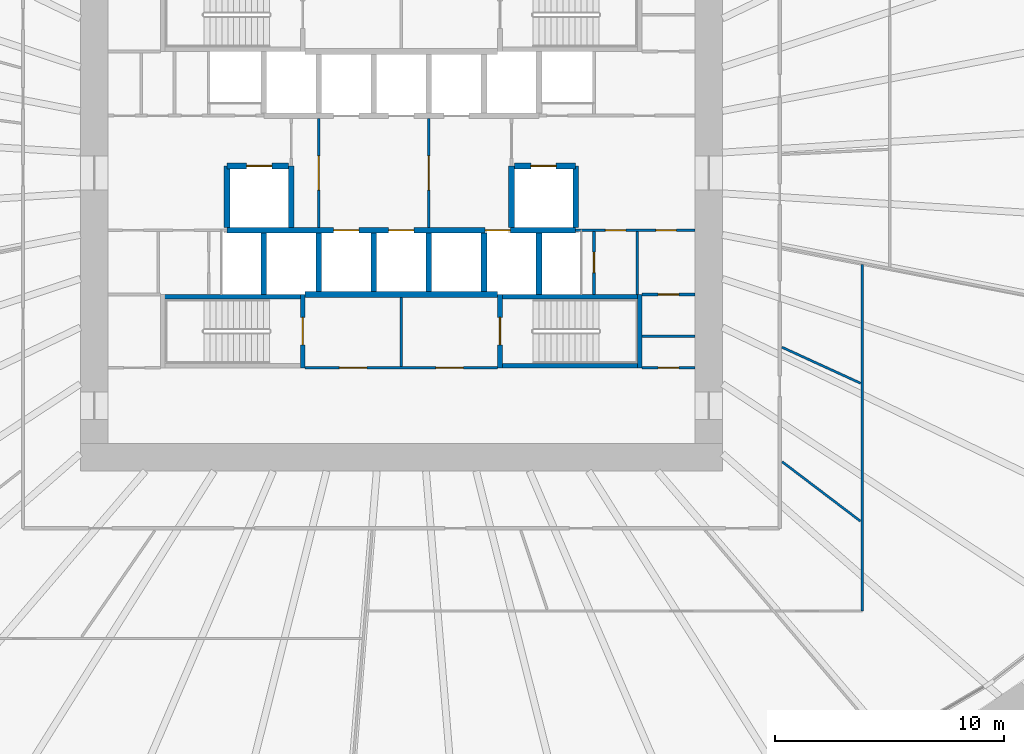
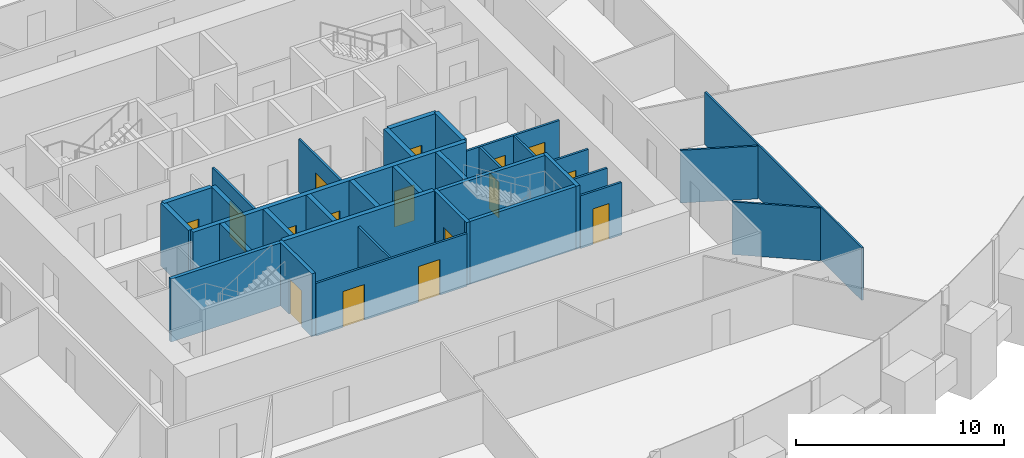
# One storey, part 7 of 11: 33 walls, 16 doors, 16 openings.
"""IFC4 building model written with IfcOpenShell, lengths in metres."""

import ifcopenshell
import ifcopenshell.guid

model = None  # the IFC model being written
_history = None  # IfcOwnerHistory: only IFC2X3 demands one
_inside = {}  # id of a spatial element -> (the spatial element, [elements in it])
_under = {}  # id of a project, library or spatial element -> (it, [spatial elements below it])
_declared = {}  # id of a project -> (the project, [libraries it declares])
_typed = {}  # id of a type object -> (the type object, [elements of that type])
_made_of = {}  # id of a material, layer set ... -> (it, [elements and type objects made of it])


def new_model(schema):
    """Start an empty IFC model of exactly this schema.

    Asked for "IFC4X3", IfcOpenShell would pick the latest addendum, in which some entities
    have other attributes; the version numbers below select the first issue.
    IFC2X3 requires an IfcOwnerHistory on every rooted entity: one is made here for all.
    """
    global model, _history
    if schema == "IFC4X3":
        model = ifcopenshell.file(schema_version=(4, 3, 0, 0))
    else:
        model = ifcopenshell.file(schema=schema)
    _inside.clear()
    _under.clear()
    _declared.clear()
    _typed.clear()
    _made_of.clear()
    _history = None
    if model.schema == "IFC2X3":
        org = make("IfcOrganization", Name="unknown")
        user = make(
            "IfcPersonAndOrganization",
            ThePerson=make("IfcPerson", FamilyName="unknown"),
            TheOrganization=org,
        )
        app = make(
            "IfcApplication",
            ApplicationDeveloper=org,
            Version="unknown",
            ApplicationFullName="unknown",
            ApplicationIdentifier="unknown",
        )
        _history = make(
            "IfcOwnerHistory",
            OwningUser=user,
            OwningApplication=app,
            ChangeAction="ADDED",
            CreationDate=0,
        )
    return model


def make(cls, **values):
    """One entity of the class cls with the attributes given. An attribute that is None is left unset."""
    return model.create_entity(
        cls, **{name: value for name, value in values.items() if value is not None}
    )


def rooted(cls, **values):
    """An entity with a GlobalId (a new one), such as an element, a storey or a relation."""
    return make(cls, GlobalId=ifcopenshell.guid.new(), OwnerHistory=_history, **values)


def si_unit(unit_type, name, prefix=None):
    """IfcSIUnit, for example si_unit("LENGTHUNIT", "METRE", prefix="MILLI")."""
    return make("IfcSIUnit", UnitType=unit_type, Prefix=prefix, Name=name)


def assignment(units):
    """IfcUnitAssignment: the units of a project."""
    return None if units is None else make("IfcUnitAssignment", Units=units)


def point(xyz):
    """IfcCartesianPoint."""
    return None if xyz is None else make("IfcCartesianPoint", Coordinates=xyz)


def direction(xyz):
    """IfcDirection."""
    return None if xyz is None else make("IfcDirection", DirectionRatios=xyz)


def frame(location, z_axis=None, x_axis=None):
    """IfcAxis2Placement3D, a coordinate frame: its origin and axes. An axis left out is left unset."""
    return make(
        "IfcAxis2Placement3D",
        Location=point(location),
        Axis=direction(z_axis),
        RefDirection=direction(x_axis),
    )


def frame_2d(location, x_axis=None):
    """IfcAxis2Placement2D, a coordinate frame in the plane: its origin and x axis."""
    return make(
        "IfcAxis2Placement2D", Location=point(location), RefDirection=direction(x_axis)
    )


def origin():
    """The frame at (0, 0, 0) with its axes left unset."""
    return frame((0.0, 0.0, 0.0))


def place(relative_to, where):
    """IfcLocalPlacement: puts the frame where relative to a parent placement (None: the world)."""
    return make(
        "IfcLocalPlacement", PlacementRelTo=relative_to, RelativePlacement=where
    )


def context(
    kind, dimensions, precision=None, world=None, true_north=None, identifier=None
):
    """IfcGeometricRepresentationContext, for example the 3D "Model" context."""
    return make(
        "IfcGeometricRepresentationContext",
        ContextIdentifier=identifier,
        ContextType=kind,
        CoordinateSpaceDimension=dimensions,
        Precision=precision,
        WorldCoordinateSystem=world,
        TrueNorth=true_north,
    )


def subcontext(parent, identifier, kind, view, scale=None):
    """IfcGeometricRepresentationSubContext, for example "Body" below "Model"."""
    return make(
        "IfcGeometricRepresentationSubContext",
        ContextIdentifier=identifier,
        ContextType=kind,
        ParentContext=parent,
        TargetScale=scale,
        TargetView=view,
    )


def project(units=None, contexts=None):
    """IfcProject with its units and contexts."""
    return rooted(
        "IfcProject",
        Name="project",
        RepresentationContexts=contexts,
        UnitsInContext=assignment(units),
    )


def spatial(cls, under=None, at=None, **own):
    """A site, building, storey or space (cls), placed at a placement, below another one or the project."""
    s = rooted(cls, ObjectPlacement=at, **own)
    if under is not None:
        _under.setdefault(under.id(), (under, []))[1].append(s)
    return s


def profile(cls, at=None, kind="AREA", **sizes):
    """A parametric profile (cls). Its sizes go by their IFC names, for example OverallWidth=200.0."""
    return make(cls, ProfileType=kind, Position=at, **sizes)


def rectangle(**sizes):
    """IfcRectangleProfileDef."""
    return profile("IfcRectangleProfileDef", **sizes)


def extrude(swept, where, along, depth):
    """IfcExtrudedAreaSolid: the profile swept, set in the frame where, extruded along a direction by depth."""
    return make(
        "IfcExtrudedAreaSolid",
        SweptArea=swept,
        Position=where,
        ExtrudedDirection=direction(along),
        Depth=depth,
    )


def shape(context_of_items, identifier, shape_type, items):
    """IfcShapeRepresentation: the items that make up one representation, for example the "Body"."""
    return make(
        "IfcShapeRepresentation",
        ContextOfItems=context_of_items,
        RepresentationIdentifier=identifier,
        RepresentationType=shape_type,
        Items=items,
    )


def source(mapping_origin, context_of_items, identifier, shape_type, items):
    """IfcRepresentationMap: a shape defined once, which mapped items show again and again."""
    return make(
        "IfcRepresentationMap",
        MappingOrigin=mapping_origin,
        MappedRepresentation=shape(context_of_items, identifier, shape_type, items),
    )


def transform(
    local_origin,
    x_axis=None,
    y_axis=None,
    z_axis=None,
    scale=None,
    scale2=None,
    scale3=None,
    uniform=True,
):
    """IfcCartesianTransformationOperator3D, or its non-uniform kind. x_axis, y_axis, z_axis: its Axis1, 2, 3."""
    if uniform:
        return make(
            "IfcCartesianTransformationOperator3D",
            Axis1=direction(x_axis),
            Axis2=direction(y_axis),
            LocalOrigin=point(local_origin),
            Scale=scale,
            Axis3=direction(z_axis),
        )
    return make(
        "IfcCartesianTransformationOperator3DnonUniform",
        Axis1=direction(x_axis),
        Axis2=direction(y_axis),
        LocalOrigin=point(local_origin),
        Scale=scale,
        Axis3=direction(z_axis),
        Scale2=scale2,
        Scale3=scale3,
    )


def mapped(mapping_source, mapping_target):
    """IfcMappedItem: shows the shape of a source again, moved by a transform."""
    return make(
        "IfcMappedItem", MappingSource=mapping_source, MappingTarget=mapping_target
    )


def material(Name=None, Category=None):
    """IfcMaterial."""
    return make("IfcMaterial", Name=Name, Category=Category)


def layer(
    of_material, thickness, ventilated=None, Name=None, Category=None, Priority=None
):
    """IfcMaterialLayer: one layer of a wall or slab, of a material (None: an air gap)."""
    return make(
        "IfcMaterialLayer",
        Material=of_material,
        LayerThickness=thickness,
        IsVentilated=ventilated,
        Name=Name,
        Category=Category,
        Priority=Priority,
    )


def layer_set(layers, Name=None):
    """IfcMaterialLayerSet."""
    return make("IfcMaterialLayerSet", MaterialLayers=layers, LayerSetName=Name)


def made_of(thing, what):
    """Note that an element or type object is made of a material, layer set ...; save() writes the relation."""
    if what is not None:
        _made_of.setdefault(what.id(), (what, []))[1].append(thing)
    return thing


def type_object(cls, material=None, **own):
    """A type object (cls), such as IfcWallType, which elements share."""
    return made_of(rooted(cls, **own), material)


def element(
    cls,
    number,
    at=None,
    inside=None,
    cuts=None,
    type_object=None,
    material=None,
    context=None,
    identifier="Body",
    shape_type=None,
    held_by="IfcProductDefinitionShape",
    body=None,
    shapes=None,
    **own,
):
    """One element of the class cls, such as IfcWall. Its Tag is "e" and its number.

    at: its placement. inside: the storey or other place that contains it. cuts: it is an
    opening in that element (IfcRelVoidsElement). A single representation is given by context,
    identifier, shape_type and body (its items); several are given by shapes. held_by: the class
    of the entity that holds the representations. save() writes the other relations.
    """
    e = rooted(cls, Tag="e%d" % number, ObjectPlacement=at, **own)
    if body is not None:
        shapes = [shape(context, identifier, shape_type, body)]
    if shapes is not None:
        e.Representation = make(held_by, Representations=shapes)
    if inside is not None:
        _inside.setdefault(inside.id(), (inside, []))[1].append(e)
    if cuts is not None:
        rooted(
            "IfcRelVoidsElement", RelatingBuildingElement=cuts, RelatedOpeningElement=e
        )
    if type_object is not None:
        _typed.setdefault(type_object.id(), (type_object, []))[1].append(e)
    return made_of(e, material)


def fill(opening, filler):
    """IfcRelFillsElement: the door or window that sits in an opening."""
    return rooted(
        "IfcRelFillsElement",
        RelatingOpeningElement=opening,
        RelatedBuildingElement=filler,
    )


def aggregate(whole, parts):
    """IfcRelAggregates: a whole, such as a stair, and the parts it consists of."""
    return rooted("IfcRelAggregates", RelatingObject=whole, RelatedObjects=parts)


def save(model, path):
    """Write the relations noted so far, then the file.

    IfcRelAggregates (storeys below a building ...), IfcRelContainedInSpatialStructure (elements
    in a storey), IfcRelDefinesByType, IfcRelAssociatesMaterial and IfcRelDeclares: one each for
    every whole, place, type object, material and project.
    """
    for whole, parts in _under.values():
        aggregate(whole, parts)
    for where, things in _inside.values():
        rooted(
            "IfcRelContainedInSpatialStructure",
            RelatedElements=things,
            RelatingStructure=where,
        )
    for kind, things in _typed.values():
        rooted("IfcRelDefinesByType", RelatedObjects=things, RelatingType=kind)
    for what, things in _made_of.values():
        rooted("IfcRelAssociatesMaterial", RelatedObjects=things, RelatingMaterial=what)
    for by, libraries in _declared.values():
        rooted("IfcRelDeclares", RelatingContext=by, RelatedDefinitions=libraries)
    model.write(path)


model = new_model("IFC4")

# Units and contexts
model_context = context("Model", 3, precision=1e-05, world=origin(), true_north=direction((0.0, 1.0)))
body_context = subcontext(model_context, "Body", "Model", "MODEL_VIEW")
ifc_project = project(units=[si_unit("LENGTHUNIT", "METRE"), si_unit("AREAUNIT", "SQUARE_METRE"), si_unit("VOLUMEUNIT", "CUBIC_METRE"), si_unit("PLANEANGLEUNIT", "RADIAN"), si_unit("MASSUNIT", "GRAM", prefix="KILO")], contexts=[model_context])

# Site, building, storey
site_placement = place(None, origin())
site = spatial("IfcSite", under=ifc_project, at=site_placement, CompositionType="ELEMENT")
building_placement = place(site_placement, origin())
building = spatial("IfcBuilding", under=site, at=building_placement, Name="Embergate Tower", CompositionType="ELEMENT")
storey_placement = place(building_placement, frame((0.0, 0.0, 113.300048828125)))
storey = spatial("IfcBuildingStorey", under=building, at=storey_placement, Name="L24", CompositionType="ELEMENT", Elevation=113.300048828125)

# Walls
ifc_material_1 = material(Name="Concrete C50", Category="concrete")
ifc_layer_1 = layer(ifc_material_1, 0.25)
ifc_layer_set_1 = layer_set([ifc_layer_1], Name="Concrete C50")
wall_type_1 = type_object("IfcWallType", Name="Hoistway wall reinforced concrete 250", PredefinedType="SHEAR", material=ifc_layer_set_1)
shared_shape_1 = source(origin(), body_context, "Body", "SweptSolid", [
    extrude(rectangle(XDim=2.675048828125, YDim=0.25, at=frame_2d((1.33740234375, 0.0))), origin(), (0.0, 0.0, 1.0), 3.699951171875),
])
for number, where, z_axis, x_axis, name in (
    (1, (-6.0, -5.300048828125, 0.0), (0.0, 0.0, 1.0), (0.0, 1.0, 0.0), "HW-1 wall"),
    (2, (6.0, -5.300048828125, 0.0), (0.0, 0.0, 1.0), (0.0, 1.0, 0.0), "HW-1 wall"),
    (3, (-4.800048828125, 0.300048828125, 0.0), (0.0, 0.0, 1.0), (0.0, -1.0, 0.0), "HW-1 wall"),
    (4, (4.800048828125, -2.375, 0.0), (0.0, 0.0, 1.0), (0.0, 1.0, 0.0), "HW-1 wall"),
):
    element("IfcWall", number, at=place(storey_placement, frame(where, z_axis=z_axis, x_axis=x_axis)), inside=storey, type_object=wall_type_1, Name=name, PredefinedType="SHEAR", context=body_context, shape_type="MappedRepresentation", body=[
        mapped(shared_shape_1, transform((0.0, 0.0, 0.0))),
    ])

# Wall, opening, door
wall_1_placement = place(storey_placement, frame((-4.925048828125, 0.300048828125, 0.0), z_axis=(0.0, 0.0, 1.0), x_axis=(-1.0, 0.0, 0.0)))
wall_1 = element("IfcWall", 5, at=wall_1_placement, inside=storey, type_object=wall_type_1, Name="HW-1 wall", PredefinedType="SHEAR", context=body_context, shape_type="MappedRepresentation", body=[
    mapped(shared_shape_1, transform((0.0, 0.0, 0.0))),
])
shared_shape_2 = source(origin(), body_context, "Body", "SweptSolid", [
    extrude(rectangle(XDim=1.10009765625, YDim=2.10009765625, at=frame_2d((0.550048828125, 1.050048828125))), frame((0.0, 0.135009765625, 0.0), z_axis=(0.0, -1.0, 0.0), x_axis=(1.0, 0.0, 0.0)), (0.0, 0.0, 1.0), 0.27001953125),
])
opening_1_placement = place(wall_1_placement, frame((0.72509765625, 0.0, 0.0)))
opening_1 = element("IfcOpeningElement", 6, at=opening_1_placement, cuts=wall_1, Name="Opening LD", PredefinedType="OPENING", context=body_context, shape_type="MappedRepresentation", body=[
    mapped(shared_shape_2, transform((0.0, 0.0, 0.0))),
])
ifc_material_2 = material(Name="Landing door sliding 1100")
door_type_1 = type_object("IfcDoorType", Name="Landing door sliding 1100", OperationType="SLIDING_TO_LEFT", PredefinedType="DOOR", material=ifc_material_2)
shared_shape_3 = source(origin(), body_context, "Body", "SweptSolid", [
    extrude(rectangle(XDim=1.10009765625, YDim=2.10009765625, at=frame_2d((0.550048828125, 1.050048828125))), frame((0.0, 0.02490234375, 0.0), z_axis=(0.0, -1.0, 0.0), x_axis=(1.0, 0.0, 0.0)), (0.0, 0.0, 1.0), 0.050048828125),
])
door_1_placement = place(opening_1_placement, origin())
door_1 = element("IfcDoor", 7, at=door_1_placement, inside=storey, type_object=door_type_1, Name="LD door", OperationType="SLIDING_TO_LEFT", OverallHeight=2.10009765625, OverallWidth=1.10009765625, PredefinedType="DOOR", context=body_context, shape_type="MappedRepresentation", body=[
    mapped(shared_shape_3, transform((0.0, 0.0, 0.0))),
])
fill(opening_1, door_1)

# Wall
wall_2_placement = place(storey_placement, frame((-7.60009765625, 0.300048828125, 0.0), z_axis=(0.0, 0.0, 1.0), x_axis=(0.0, -1.0, 0.0)))
element("IfcWall", 8, at=wall_2_placement, inside=storey, type_object=wall_type_1, Name="HW-1 wall", PredefinedType="SHEAR", context=body_context, shape_type="MappedRepresentation", body=[
    mapped(shared_shape_1, transform((0.0, 0.0, 0.0))),
])

# Wall, opening, door
wall_3_placement = place(storey_placement, frame((7.60009765625, 0.300048828125, 0.0), z_axis=(0.0, 0.0, 1.0), x_axis=(-1.0, 0.0, 0.0)))
wall_3 = element("IfcWall", 9, at=wall_3_placement, inside=storey, type_object=wall_type_1, Name="HW-1 wall", PredefinedType="SHEAR", context=body_context, shape_type="MappedRepresentation", body=[
    mapped(shared_shape_1, transform((0.0, 0.0, 0.0))),
])
opening_2_placement = place(wall_3_placement, frame((0.85009765625, 0.0, 0.0)))
opening_2 = element("IfcOpeningElement", 10, at=opening_2_placement, cuts=wall_3, Name="Opening LD", PredefinedType="OPENING", context=body_context, shape_type="MappedRepresentation", body=[
    mapped(shared_shape_2, transform((0.0, 0.0, 0.0))),
])
door_2_placement = place(opening_2_placement, origin())
door_2 = element("IfcDoor", 11, at=door_2_placement, inside=storey, type_object=door_type_1, Name="LD door", OperationType="SLIDING_TO_LEFT", OverallHeight=2.10009765625, OverallWidth=1.10009765625, PredefinedType="DOOR", context=body_context, shape_type="MappedRepresentation", body=[
    mapped(shared_shape_3, transform((0.0, 0.0, 0.0))),
])
fill(opening_2, door_2)

# Walls
wall_4_placement = place(storey_placement, frame((7.60009765625, -2.375, 0.0), z_axis=(0.0, 0.0, 1.0), x_axis=(0.0, 1.0, 0.0)))
element("IfcWall", 12, at=wall_4_placement, inside=storey, type_object=wall_type_1, Name="HW-1 wall", PredefinedType="SHEAR", context=body_context, shape_type="MappedRepresentation", body=[
    mapped(shared_shape_1, transform((0.0, 0.0, 0.0))),
])
ifc_layer_2 = layer(ifc_material_1, 0.199951171875)
ifc_layer_set_2 = layer_set([ifc_layer_2], Name="Concrete C50")
wall_type_2 = type_object("IfcWallType", Name="Stair enclosure wall reinforced concrete 250", PredefinedType="SHEAR", material=ifc_layer_set_2)
shared_shape_4 = source(origin(), body_context, "Body", "SweptSolid", [
    extrude(rectangle(XDim=6.300048828125, YDim=0.199951171875, at=frame_2d((3.14990234375, 0.0))), origin(), (0.0, 0.0, 1.0), 3.699951171875),
])
for number, where, z_axis, x_axis, name in (
    (13, (-10.5, -5.39990234375, 0.0), (0.0, 0.0, 1.0), (1.0, 0.0, 0.0), "SE-1 wall"),
    (14, (4.199951171875, -5.39990234375, 0.0), (0.0, 0.0, 1.0), (1.0, 0.0, 0.0), "SE-1 wall"),
    (15, (4.199951171875, -8.39990234375, 0.0), (0.0, 0.0, 1.0), (1.0, 0.0, 0.0), "SE-1 wall"),
):
    element("IfcWall", number, at=place(storey_placement, frame(where, z_axis=z_axis, x_axis=x_axis)), inside=storey, type_object=wall_type_2, Name=name, PredefinedType="SHEAR", context=body_context, shape_type="MappedRepresentation", body=[
        mapped(shared_shape_4, transform((0.0, 0.0, 0.0))),
    ])
shared_shape_5 = source(origin(), body_context, "Body", "SweptSolid", [
    extrude(rectangle(XDim=2.550048828125, YDim=0.25, at=frame_2d((1.27490234375, 0.0))), origin(), (0.0, 0.0, 1.0), 3.699951171875),
])
for number, where, z_axis, x_axis, name in (
    (16, (-3.60009765625, -5.175048828125, 0.0), (0.0, 0.0, 1.0), (0.0, 1.0, 0.0), "HW-1 wall"),
    (17, (-1.199951171875, -5.175048828125, 0.0), (0.0, 0.0, 1.0), (0.0, 1.0, 0.0), "HW-1 wall"),
    (18, (1.199951171875, -5.175048828125, 0.0), (0.0, 0.0, 1.0), (0.0, 1.0, 0.0), "HW-1 wall"),
    (19, (3.60009765625, -5.175048828125, 0.0), (0.0, 0.0, 1.0), (0.0, 1.0, 0.0), "HW-1 wall"),
):
    element("IfcWall", number, at=place(storey_placement, frame(where, z_axis=z_axis, x_axis=x_axis)), inside=storey, type_object=wall_type_1, Name=name, PredefinedType="SHEAR", context=body_context, shape_type="MappedRepresentation", body=[
        mapped(shared_shape_5, transform((0.0, 0.0, 0.0))),
    ])
shared_shape_6 = source(origin(), body_context, "Body", "SweptSolid", [
    extrude(rectangle(XDim=8.39990234375, YDim=0.25, at=frame_2d((4.199951171875, 0.0))), origin(), (0.0, 0.0, 1.0), 3.699951171875),
])
wall_5_placement = place(storey_placement, frame((-4.199951171875, -5.300048828125, 0.0), z_axis=(0.0, 0.0, 1.0), x_axis=(1.0, 0.0, 0.0)))
element("IfcWall", 20, at=wall_5_placement, inside=storey, type_object=wall_type_1, Name="HW-1 wall", PredefinedType="SHEAR", context=body_context, shape_type="MappedRepresentation", body=[
    mapped(shared_shape_6, transform((0.0, 0.0, 0.0))),
])

# Wall, openings, doors
shared_shape_7 = source(origin(), body_context, "Body", "SweptSolid", [
    extrude(rectangle(XDim=15.2001953125, YDim=0.25, at=frame_2d((7.60009765625, 0.0))), origin(), (0.0, 0.0, 1.0), 3.699951171875),
])
wall_6_placement = place(storey_placement, frame((7.60009765625, -2.5, 0.0), z_axis=(0.0, 0.0, 1.0), x_axis=(-1.0, 0.0, 0.0)))
wall_6 = element("IfcWall", 21, at=wall_6_placement, inside=storey, type_object=wall_type_1, Name="HW-1 wall", PredefinedType="SHEAR", context=body_context, shape_type="MappedRepresentation", body=[
    mapped(shared_shape_7, transform((0.0, 0.0, 0.0))),
])
opening_3_placement = place(wall_6_placement, frame((9.449951171875, 0.0, 0.0)))
opening_3 = element("IfcOpeningElement", 22, at=opening_3_placement, cuts=wall_6, Name="Opening LD", PredefinedType="OPENING", context=body_context, shape_type="MappedRepresentation", body=[
    mapped(shared_shape_2, transform((0.0, 0.0, 0.0))),
])
opening_4_placement = place(wall_6_placement, frame((7.050048828125, 0.0, 0.0)))
opening_4 = element("IfcOpeningElement", 23, at=opening_4_placement, cuts=wall_6, Name="Opening LD", PredefinedType="OPENING", context=body_context, shape_type="MappedRepresentation", body=[
    mapped(shared_shape_2, transform((0.0, 0.0, 0.0))),
])
opening_5_placement = place(wall_6_placement, frame((2.85009765625, 0.0, 0.0)))
opening_5 = element("IfcOpeningElement", 24, at=opening_5_placement, cuts=wall_6, Name="Opening LD", PredefinedType="OPENING", context=body_context, shape_type="MappedRepresentation", body=[
    mapped(shared_shape_2, transform((0.0, 0.0, 0.0))),
])
door_3_placement = place(opening_3_placement, origin())
door_3 = element("IfcDoor", 25, at=door_3_placement, inside=storey, type_object=door_type_1, Name="LD door", OperationType="SLIDING_TO_RIGHT", OverallHeight=2.10009765625, OverallWidth=1.10009765625, PredefinedType="DOOR", context=body_context, shape_type="MappedRepresentation", body=[
    mapped(shared_shape_3, transform((0.0, 0.0, 0.0))),
])
fill(opening_3, door_3)
door_4_placement = place(opening_4_placement, origin())
door_4 = element("IfcDoor", 26, at=door_4_placement, inside=storey, type_object=door_type_1, Name="LD door", OperationType="SLIDING_TO_RIGHT", OverallHeight=2.10009765625, OverallWidth=1.10009765625, PredefinedType="DOOR", context=body_context, shape_type="MappedRepresentation", body=[
    mapped(shared_shape_3, transform((0.0, 0.0, 0.0))),
])
fill(opening_4, door_4)
door_5_placement = place(opening_5_placement, origin())
door_5 = element("IfcDoor", 27, at=door_5_placement, inside=storey, type_object=door_type_1, Name="LD door", OperationType="SLIDING_TO_LEFT", OverallHeight=2.10009765625, OverallWidth=1.10009765625, PredefinedType="DOOR", context=body_context, shape_type="MappedRepresentation", body=[
    mapped(shared_shape_3, transform((0.0, 0.0, 0.0))),
])
fill(opening_5, door_5)

# Wall, opening, door
shared_shape_8 = source(origin(), body_context, "Body", "SweptSolid", [
    extrude(rectangle(XDim=3.199951171875, YDim=0.199951171875, at=frame_2d((1.60009765625, 0.0))), origin(), (0.0, 0.0, 1.0), 3.699951171875),
])
wall_7_placement = place(storey_placement, frame((-4.300048828125, -8.5, 0.0), z_axis=(0.0, 0.0, 1.0), x_axis=(0.0, 1.0, 0.0)))
wall_7 = element("IfcWall", 28, at=wall_7_placement, inside=storey, type_object=wall_type_2, Name="SE-1 wall", PredefinedType="SHEAR", context=body_context, shape_type="MappedRepresentation", body=[
    mapped(shared_shape_8, transform((0.0, 0.0, 0.0))),
])
shared_shape_9 = source(origin(), body_context, "Body", "SweptSolid", [
    extrude(rectangle(XDim=1.199951171875, YDim=2.10009765625, at=frame_2d((0.60009765625, 1.050048828125))), frame((0.0, 0.10986328125, 0.0), z_axis=(0.0, -1.0, 0.0), x_axis=(1.0, 0.0, 0.0)), (0.0, 0.0, 1.0), 0.219970703125),
])
opening_6_placement = place(wall_7_placement, frame((1.0, 0.0, 0.0)))
opening_6 = element("IfcOpeningElement", 29, at=opening_6_placement, cuts=wall_7, Name="Opening IF-2", PredefinedType="OPENING", context=body_context, shape_type="MappedRepresentation", body=[
    mapped(shared_shape_9, transform((0.0, 0.0, 0.0))),
])
ifc_material_3 = material(Name="Stair enclosure door 1200")
door_type_2 = type_object("IfcDoorType", Name="Stair enclosure door 1200", OperationType="SINGLE_SWING_LEFT", PredefinedType="DOOR", material=ifc_material_3)
shared_shape_10 = source(origin(), body_context, "Body", "SweptSolid", [
    extrude(rectangle(XDim=1.199951171875, YDim=2.10009765625, at=frame_2d((0.60009765625, 1.050048828125))), frame((0.0, 0.02490234375, 0.0), z_axis=(0.0, -1.0, 0.0), x_axis=(1.0, 0.0, 0.0)), (0.0, 0.0, 1.0), 0.050048828125),
])
door_6_placement = place(opening_6_placement, origin())
door_6 = element("IfcDoor", 30, at=door_6_placement, inside=storey, type_object=door_type_2, Name="IF-2 door", OperationType="SINGLE_SWING_RIGHT", OverallHeight=2.10009765625, OverallWidth=1.199951171875, PredefinedType="DOOR", context=body_context, shape_type="MappedRepresentation", body=[
    mapped(shared_shape_10, transform((0.0, 0.0, 0.0))),
])
fill(opening_6, door_6)

wall_8_placement = place(storey_placement, frame((4.300048828125, -5.300048828125, 0.0), z_axis=(0.0, 0.0, 1.0), x_axis=(0.0, -1.0, 0.0)))
wall_8 = element("IfcWall", 31, at=wall_8_placement, inside=storey, type_object=wall_type_2, Name="SE-1 wall", PredefinedType="SHEAR", context=body_context, shape_type="MappedRepresentation", body=[
    mapped(shared_shape_8, transform((0.0, 0.0, 0.0))),
])
opening_7_placement = place(wall_8_placement, frame((1.0, 0.0, 0.0)))
opening_7 = element("IfcOpeningElement", 32, at=opening_7_placement, cuts=wall_8, Name="Opening IF-2", PredefinedType="OPENING", context=body_context, shape_type="MappedRepresentation", body=[
    mapped(shared_shape_9, transform((0.0, 0.0, 0.0))),
])
door_7_placement = place(opening_7_placement, origin())
door_7 = element("IfcDoor", 33, at=door_7_placement, inside=storey, type_object=door_type_2, Name="IF-2 door", OperationType="SINGLE_SWING_LEFT", OverallHeight=2.10009765625, OverallWidth=1.199951171875, PredefinedType="DOOR", context=body_context, shape_type="MappedRepresentation", body=[
    mapped(shared_shape_10, transform((0.0, 0.0, 0.0))),
])
fill(opening_7, door_7)

# Wall
wall_9_placement = place(storey_placement, frame((10.39990234375, -8.5, 0.0), z_axis=(0.0, 0.0, 1.0), x_axis=(0.0, 1.0, 0.0)))
element("IfcWall", 34, at=wall_9_placement, inside=storey, type_object=wall_type_2, Name="SE-1 wall", PredefinedType="SHEAR", context=body_context, shape_type="MappedRepresentation", body=[
    mapped(shared_shape_8, transform((0.0, 0.0, 0.0))),
])

# Wall, opening, door
ifc_material_4 = material(Name="Core partition blockwork 120")
ifc_layer_3 = layer(ifc_material_4, 0.1201171875)
ifc_layer_set_3 = layer_set([ifc_layer_3], Name="Core partition blockwork 120")
wall_type_3 = type_object("IfcWallType", Name="Core partition blockwork 120", PredefinedType="PARTITIONING", material=ifc_layer_set_3)
shared_shape_11 = source(origin(), body_context, "Body", "SweptSolid", [
    extrude(rectangle(XDim=2.739990234375, YDim=0.1201171875, at=frame_2d((1.3701171875, 0.0))), origin(), (0.0, 0.0, 1.0), 3.099853515625),
])
wall_10_placement = place(storey_placement, frame((8.39990234375, -5.300048828125, 0.0), z_axis=(0.0, 0.0, 1.0), x_axis=(0.0, 1.0, 0.0)))
wall_10 = element("IfcWall", 35, at=wall_10_placement, inside=storey, type_object=wall_type_3, Name="IP-3 wall", PredefinedType="PARTITIONING", context=body_context, shape_type="MappedRepresentation", body=[
    mapped(shared_shape_11, transform((0.0, 0.0, 0.0))),
])
shared_shape_12 = source(origin(), body_context, "Body", "SweptSolid", [
    extrude(rectangle(XDim=0.89990234375, YDim=2.10009765625, at=frame_2d((0.449951171875, 1.050048828125))), frame((0.0, 0.070068359375, 0.0), z_axis=(0.0, -1.0, 0.0), x_axis=(1.0, 0.0, 0.0)), (0.0, 0.0, 1.0), 0.14013671875),
])
opening_8_placement = place(wall_10_placement, frame((0.949951171875, 0.0, 0.0)))
opening_8 = element("IfcOpeningElement", 36, at=opening_8_placement, cuts=wall_10, Name="Opening ID-1", PredefinedType="OPENING", context=body_context, shape_type="MappedRepresentation", body=[
    mapped(shared_shape_12, transform((0.0, 0.0, 0.0))),
])
ifc_material_5 = material(Name="Interior door 900")
door_type_3 = type_object("IfcDoorType", Name="Interior door 900", OperationType="SINGLE_SWING_LEFT", PredefinedType="DOOR", material=ifc_material_5)
shared_shape_13 = source(origin(), body_context, "Body", "SweptSolid", [
    extrude(rectangle(XDim=0.89990234375, YDim=2.10009765625, at=frame_2d((0.449951171875, 1.050048828125))), frame((0.0, 0.02490234375, 0.0), z_axis=(0.0, -1.0, 0.0), x_axis=(1.0, 0.0, 0.0)), (0.0, 0.0, 1.0), 0.050048828125),
])
door_8_placement = place(opening_8_placement, origin())
door_8 = element("IfcDoor", 37, at=door_8_placement, inside=storey, type_object=door_type_3, Name="ID-1 door", OperationType="SINGLE_SWING_LEFT", OverallHeight=2.10009765625, OverallWidth=0.89990234375, PredefinedType="DOOR", context=body_context, shape_type="MappedRepresentation", body=[
    mapped(shared_shape_13, transform((0.0, 0.0, 0.0))),
])
fill(opening_8, door_8)

# Wall
wall_11_placement = place(storey_placement, frame((10.2919921875, -5.300048828125, 0.0), z_axis=(0.0, 0.0, 1.0), x_axis=(0.0, 1.0, 0.0)))
element("IfcWall", 38, at=wall_11_placement, inside=storey, type_object=wall_type_3, Name="IP-3 wall", PredefinedType="PARTITIONING", context=body_context, shape_type="MappedRepresentation", body=[
    mapped(shared_shape_11, transform((0.0, 0.0, 0.0))),
])

# Wall, openings, doors
shared_shape_14 = source(origin(), body_context, "Body", "SweptSolid", [
    extrude(rectangle(XDim=5.199951171875, YDim=0.1201171875, at=frame_2d((2.60009765625, 0.0))), origin(), (0.0, 0.0, 1.0), 3.099853515625),
])
wall_12_placement = place(storey_placement, frame((12.800048828125, -2.5, 0.0), z_axis=(0.0, 0.0, 1.0), x_axis=(-1.0, 0.0, 0.0)))
wall_12 = element("IfcWall", 39, at=wall_12_placement, inside=storey, type_object=wall_type_3, Name="IP-3 wall", PredefinedType="PARTITIONING", context=body_context, shape_type="MappedRepresentation", body=[
    mapped(shared_shape_14, transform((0.0, 0.0, 0.0))),
])
opening_9_placement = place(wall_12_placement, frame((3.00390625, 0.0, 0.0)))
opening_9 = element("IfcOpeningElement", 40, at=opening_9_placement, cuts=wall_12, Name="Opening ID-1", PredefinedType="OPENING", context=body_context, shape_type="MappedRepresentation", body=[
    mapped(shared_shape_12, transform((0.0, 0.0, 0.0))),
])
opening_10_placement = place(wall_12_placement, frame((0.803955078125, 0.0, 0.0)))
opening_10 = element("IfcOpeningElement", 41, at=opening_10_placement, cuts=wall_12, Name="Opening ID-1", PredefinedType="OPENING", context=body_context, shape_type="MappedRepresentation", body=[
    mapped(shared_shape_12, transform((0.0, 0.0, 0.0))),
])
door_9_placement = place(opening_9_placement, origin())
door_9 = element("IfcDoor", 42, at=door_9_placement, inside=storey, type_object=door_type_3, Name="ID-1 door", OperationType="SINGLE_SWING_LEFT", OverallHeight=2.10009765625, OverallWidth=0.89990234375, PredefinedType="DOOR", context=body_context, shape_type="MappedRepresentation", body=[
    mapped(shared_shape_13, transform((0.0, 0.0, 0.0))),
])
fill(opening_9, door_9)
door_10_placement = place(opening_10_placement, origin())
door_10 = element("IfcDoor", 43, at=door_10_placement, inside=storey, type_object=door_type_3, Name="ID-1 door", OperationType="SINGLE_SWING_RIGHT", OverallHeight=2.10009765625, OverallWidth=0.89990234375, PredefinedType="DOOR", context=body_context, shape_type="MappedRepresentation", body=[
    mapped(shared_shape_13, transform((0.0, 0.0, 0.0))),
])
fill(opening_10, door_10)

# Wall, opening, door
shared_shape_15 = source(origin(), body_context, "Body", "SweptSolid", [
    extrude(rectangle(XDim=4.75, YDim=0.1201171875, at=frame_2d((2.375, 0.0))), origin(), (0.0, 0.0, 1.0), 3.099853515625),
])
wall_13_placement = place(storey_placement, frame((-3.60009765625, -2.375, 0.0), z_axis=(0.0, 0.0, 1.0), x_axis=(0.0, 1.0, 0.0)))
wall_13 = element("IfcWall", 44, at=wall_13_placement, inside=storey, type_object=wall_type_3, Name="IP-3 wall", PredefinedType="PARTITIONING", context=body_context, shape_type="MappedRepresentation", body=[
    mapped(shared_shape_15, transform((0.0, 0.0, 0.0))),
])
shared_shape_16 = source(origin(), body_context, "Body", "SweptSolid", [
    extrude(rectangle(XDim=1.5, YDim=2.10009765625, at=frame_2d((0.75, 1.050048828125))), frame((0.0, 0.070068359375, 0.0), z_axis=(0.0, -1.0, 0.0), x_axis=(1.0, 0.0, 0.0)), (0.0, 0.0, 1.0), 0.14013671875),
])
opening_11_placement = place(wall_13_placement, frame((1.625, 0.0, 0.0)))
opening_11 = element("IfcOpeningElement", 45, at=opening_11_placement, cuts=wall_13, Name="Opening IF-3", PredefinedType="OPENING", context=body_context, shape_type="MappedRepresentation", body=[
    mapped(shared_shape_16, transform((0.0, 0.0, 0.0))),
])
ifc_material_6 = material(Name="Lobby fire door pair 1500")
door_type_4 = type_object("IfcDoorType", Name="Lobby fire door pair 1500", OperationType="DOUBLE_DOOR_SINGLE_SWING", PredefinedType="DOOR", material=ifc_material_6)
shared_shape_17 = source(origin(), body_context, "Body", "SweptSolid", [
    extrude(rectangle(XDim=1.5, YDim=2.10009765625, at=frame_2d((0.75, 1.050048828125))), frame((0.0, 0.02490234375, 0.0), z_axis=(0.0, -1.0, 0.0), x_axis=(1.0, 0.0, 0.0)), (0.0, 0.0, 1.0), 0.050048828125),
])
door_11_placement = place(opening_11_placement, origin())
door_11 = element("IfcDoor", 46, at=door_11_placement, inside=storey, type_object=door_type_4, Name="IF-3 door", OperationType="DOUBLE_DOOR_SINGLE_SWING", OverallHeight=2.10009765625, OverallWidth=1.5, PredefinedType="DOOR", context=body_context, shape_type="MappedRepresentation", body=[
    mapped(shared_shape_17, transform((0.0, 0.0, 0.0))),
])
fill(opening_11, door_11)

wall_14_placement = place(storey_placement, frame((1.199951171875, -2.375, 0.0), z_axis=(0.0, 0.0, 1.0), x_axis=(0.0, 1.0, 0.0)))
wall_14 = element("IfcWall", 47, at=wall_14_placement, inside=storey, type_object=wall_type_3, Name="IP-3 wall", PredefinedType="PARTITIONING", context=body_context, shape_type="MappedRepresentation", body=[
    mapped(shared_shape_15, transform((0.0, 0.0, 0.0))),
])
opening_12_placement = place(wall_14_placement, frame((1.625, 0.0, 0.0)))
opening_12 = element("IfcOpeningElement", 48, at=opening_12_placement, cuts=wall_14, Name="Opening IF-3", PredefinedType="OPENING", context=body_context, shape_type="MappedRepresentation", body=[
    mapped(shared_shape_16, transform((0.0, 0.0, 0.0))),
])
door_12_placement = place(opening_12_placement, origin())
door_12 = element("IfcDoor", 49, at=door_12_placement, inside=storey, type_object=door_type_4, Name="IF-3 door", OperationType="DOUBLE_DOOR_SINGLE_SWING", OverallHeight=2.10009765625, OverallWidth=1.5, PredefinedType="DOOR", context=body_context, shape_type="MappedRepresentation", body=[
    mapped(shared_shape_17, transform((0.0, 0.0, 0.0))),
])
fill(opening_12, door_12)

# Wall
shared_shape_18 = source(origin(), body_context, "Body", "SweptSolid", [
    extrude(rectangle(XDim=3.014892578125, YDim=0.1201171875, at=frame_2d((1.50732421875, 0.0))), origin(), (0.0, 0.0, 1.0), 3.099853515625),
])
wall_15_placement = place(storey_placement, frame((0.0, -8.43994140625, 0.0), z_axis=(0.0, 0.0, 1.0), x_axis=(0.0, 1.0, 0.0)))
element("IfcWall", 50, at=wall_15_placement, inside=storey, type_object=wall_type_3, Name="IP-3 wall", PredefinedType="PARTITIONING", context=body_context, shape_type="MappedRepresentation", body=[
    mapped(shared_shape_18, transform((0.0, 0.0, 0.0))),
])

# Wall, openings, doors
shared_shape_19 = source(origin(), body_context, "Body", "SweptSolid", [
    extrude(rectangle(XDim=8.39990234375, YDim=0.1201171875, at=frame_2d((4.199951171875, 0.0))), origin(), (0.0, 0.0, 1.0), 3.099853515625),
])
wall_16_placement = place(storey_placement, frame((-4.199951171875, -8.5, 0.0), z_axis=(0.0, 0.0, 1.0), x_axis=(1.0, 0.0, 0.0)))
wall_16 = element("IfcWall", 51, at=wall_16_placement, inside=storey, type_object=wall_type_3, Name="IP-3 wall", PredefinedType="PARTITIONING", context=body_context, shape_type="MappedRepresentation", body=[
    mapped(shared_shape_19, transform((0.0, 0.0, 0.0))),
])
shared_shape_20 = source(origin(), body_context, "Body", "SweptSolid", [
    extrude(rectangle(XDim=1.199951171875, YDim=2.10009765625, at=frame_2d((0.60009765625, 1.050048828125))), frame((0.0, 0.070068359375, 0.0), z_axis=(0.0, -1.0, 0.0), x_axis=(1.0, 0.0, 0.0)), (0.0, 0.0, 1.0), 0.14013671875),
])
opening_13_placement = place(wall_16_placement, frame((1.5, 0.0, 0.0)))
opening_13 = element("IfcOpeningElement", 52, at=opening_13_placement, cuts=wall_16, Name="Opening IF-3f", PredefinedType="OPENING", context=body_context, shape_type="MappedRepresentation", body=[
    mapped(shared_shape_20, transform((0.0, 0.0, 0.0))),
])
opening_14_placement = place(wall_16_placement, frame((5.699951171875, 0.0, 0.0)))
opening_14 = element("IfcOpeningElement", 53, at=opening_14_placement, cuts=wall_16, Name="Opening IF-3f", PredefinedType="OPENING", context=body_context, shape_type="MappedRepresentation", body=[
    mapped(shared_shape_20, transform((0.0, 0.0, 0.0))),
])
ifc_material_7 = material(Name="Lobby fire door pair 1200")
door_type_5 = type_object("IfcDoorType", Name="Lobby fire door pair 1200", OperationType="DOUBLE_DOOR_SINGLE_SWING", PredefinedType="DOOR", material=ifc_material_7)
door_13_placement = place(opening_13_placement, origin())
door_13 = element("IfcDoor", 54, at=door_13_placement, inside=storey, type_object=door_type_5, Name="IF-3 door", OperationType="DOUBLE_DOOR_SINGLE_SWING", OverallHeight=2.10009765625, OverallWidth=1.199951171875, PredefinedType="DOOR", context=body_context, shape_type="MappedRepresentation", body=[
    mapped(shared_shape_10, transform((0.0, 0.0, 0.0))),
])
fill(opening_13, door_13)
door_14_placement = place(opening_14_placement, origin())
door_14 = element("IfcDoor", 55, at=door_14_placement, inside=storey, type_object=door_type_5, Name="IF-3 door", OperationType="DOUBLE_DOOR_SINGLE_SWING", OverallHeight=2.10009765625, OverallWidth=1.199951171875, PredefinedType="DOOR", context=body_context, shape_type="MappedRepresentation", body=[
    mapped(shared_shape_10, transform((0.0, 0.0, 0.0))),
])
fill(opening_14, door_14)

# Wall, opening, door
shared_shape_21 = source(origin(), body_context, "Body", "SweptSolid", [
    extrude(rectangle(XDim=2.300048828125, YDim=0.1201171875, at=frame_2d((1.14990234375, 0.0))), origin(), (0.0, 0.0, 1.0), 3.099853515625),
])
wall_17_placement = place(storey_placement, frame((12.800048828125, -8.5, 0.0), z_axis=(0.0, 0.0, 1.0), x_axis=(-1.0, 0.0, 0.0)))
wall_17 = element("IfcWall", 56, at=wall_17_placement, inside=storey, type_object=wall_type_3, Name="IP-3 wall", PredefinedType="PARTITIONING", context=body_context, shape_type="MappedRepresentation", body=[
    mapped(shared_shape_21, transform((0.0, 0.0, 0.0))),
])
opening_15_placement = place(wall_17_placement, frame((0.699951171875, 0.0, 0.0)))
opening_15 = element("IfcOpeningElement", 57, at=opening_15_placement, cuts=wall_17, Name="Opening ID-1", PredefinedType="OPENING", context=body_context, shape_type="MappedRepresentation", body=[
    mapped(shared_shape_12, transform((0.0, 0.0, 0.0))),
])
door_15_placement = place(opening_15_placement, origin())
door_15 = element("IfcDoor", 58, at=door_15_placement, inside=storey, type_object=door_type_3, Name="ID-1 door", OperationType="SINGLE_SWING_LEFT", OverallHeight=2.10009765625, OverallWidth=0.89990234375, PredefinedType="DOOR", context=body_context, shape_type="MappedRepresentation", body=[
    mapped(shared_shape_13, transform((0.0, 0.0, 0.0))),
])
fill(opening_15, door_15)

wall_18_placement = place(storey_placement, frame((10.5, -5.300048828125, 0.0), z_axis=(0.0, 0.0, 1.0), x_axis=(1.0, 0.0, 0.0)))
wall_18 = element("IfcWall", 59, at=wall_18_placement, inside=storey, type_object=wall_type_3, Name="IP-3 wall", PredefinedType="PARTITIONING", context=body_context, shape_type="MappedRepresentation", body=[
    mapped(shared_shape_21, transform((0.0, 0.0, 0.0))),
])
opening_16_placement = place(wall_18_placement, frame((0.699951171875, 0.0, 0.0)))
opening_16 = element("IfcOpeningElement", 60, at=opening_16_placement, cuts=wall_18, Name="Opening ID-1", PredefinedType="OPENING", context=body_context, shape_type="MappedRepresentation", body=[
    mapped(shared_shape_12, transform((0.0, 0.0, 0.0))),
])
door_16_placement = place(opening_16_placement, origin())
door_16 = element("IfcDoor", 61, at=door_16_placement, inside=storey, type_object=door_type_3, Name="ID-1 door", OperationType="SINGLE_SWING_RIGHT", OverallHeight=2.10009765625, OverallWidth=0.89990234375, PredefinedType="DOOR", context=body_context, shape_type="MappedRepresentation", body=[
    mapped(shared_shape_13, transform((0.0, 0.0, 0.0))),
])
fill(opening_16, door_16)

# Walls
wall_19_placement = place(storey_placement, frame((12.800048828125, -7.1240234375, 0.0), z_axis=(0.0, 0.0, 1.0), x_axis=(-1.0, 0.0, 0.0)))
element("IfcWall", 62, at=wall_19_placement, inside=storey, type_object=wall_type_3, Name="IP-3 wall", PredefinedType="PARTITIONING", context=body_context, shape_type="MappedRepresentation", body=[
    mapped(shared_shape_21, transform((0.0, 0.0, 0.0))),
])
ifc_material_8 = material(Name="Partition dry-lined 100")
ifc_layer_4 = layer(ifc_material_8, 0.10009765625)
ifc_layer_set_4 = layer_set([ifc_layer_4], Name="Partition dry-lined 100")
wall_type_4 = type_object("IfcWallType", Name="Partition dry-lined 100", PredefinedType="PARTITIONING", material=ifc_layer_set_4)
shared_shape_22 = source(origin(), body_context, "Body", "SweptSolid", [
    extrude(rectangle(XDim=4.2861328125, YDim=0.10009765625, at=frame_2d((2.14306640625, 0.0))), origin(), (0.0, 0.0, 1.0), 3.099853515625),
])
wall_20_placement = place(storey_placement, frame((16.60498046875, -12.593994140625, 0.0), z_axis=(0.0, 0.0, 1.0), x_axis=(0.796762197245, -0.604292976164, 0.0)))
element("IfcWall", 63, at=wall_20_placement, inside=storey, type_object=wall_type_4, Name="IP-1 wall", PredefinedType="PARTITIONING", context=body_context, shape_type="MappedRepresentation", body=[
    mapped(shared_shape_22, transform((0.0, 0.0, 0.0))),
])
shared_shape_23 = source(origin(), body_context, "Body", "SweptSolid", [
    extrude(rectangle(XDim=15.113037109375, YDim=0.10009765625, at=frame_2d((7.556640625, 0.0))), origin(), (0.0, 0.0, 1.0), 3.099853515625),
])
wall_21_placement = place(storey_placement, frame((20.10009765625, -3.987060546875, 0.0), z_axis=(0.0, 0.0, 1.0), x_axis=(0.0, -1.0, 0.0)))
element("IfcWall", 64, at=wall_21_placement, inside=storey, type_object=wall_type_4, Name="IP-1 wall", PredefinedType="PARTITIONING", context=body_context, shape_type="MappedRepresentation", body=[
    mapped(shared_shape_23, transform((0.0, 0.0, 0.0))),
])
shared_shape_24 = source(origin(), body_context, "Body", "SweptSolid", [
    extrude(rectangle(XDim=3.77587890625, YDim=0.10009765625, at=frame_2d((1.887939453125, 0.0))), origin(), (0.0, 0.0, 1.0), 3.099853515625),
])
wall_22_placement = place(storey_placement, frame((20.029052734375, -9.1708984375, 0.0), z_axis=(0.0, 0.0, 1.0), x_axis=(-0.909238220108, 0.416276181273, 0.0)))
element("IfcWall", 65, at=wall_22_placement, inside=storey, type_object=wall_type_4, Name="IP-1 wall", PredefinedType="PARTITIONING", context=body_context, shape_type="MappedRepresentation", body=[
    mapped(shared_shape_24, transform((0.0, 0.0, 0.0))),
])

save(model, "model.ifc")
